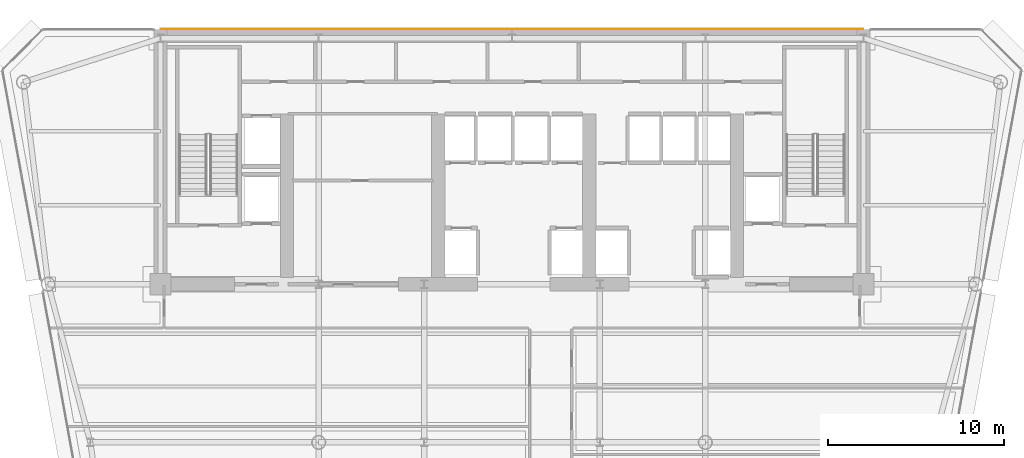
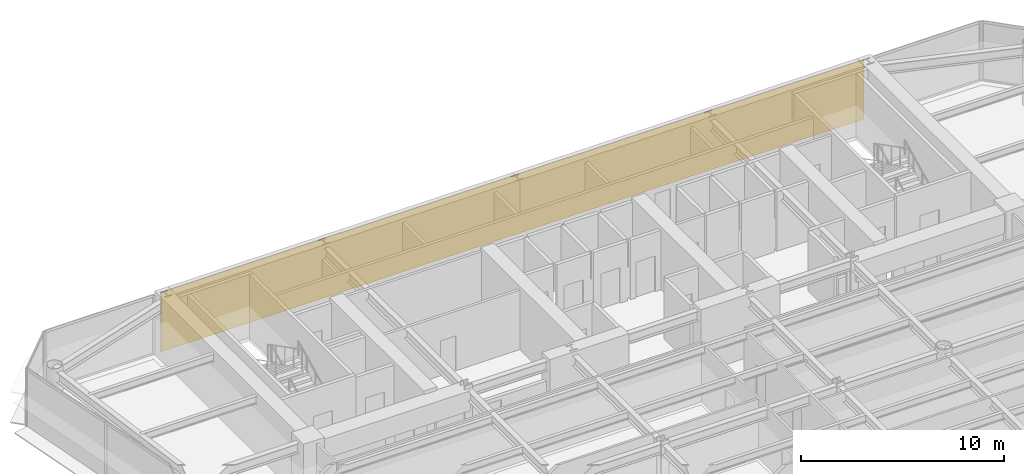
# One storey, part 16 of 17: 1 covering.
"""IFC4 building model written with IfcOpenShell, lengths in metres."""

import ifcopenshell
import ifcopenshell.guid

model = None  # the IFC model being written
_history = None  # IfcOwnerHistory: only IFC2X3 demands one
_inside = {}  # id of a spatial element -> (the spatial element, [elements in it])
_under = {}  # id of a project, library or spatial element -> (it, [spatial elements below it])
_declared = {}  # id of a project -> (the project, [libraries it declares])
_typed = {}  # id of a type object -> (the type object, [elements of that type])
_made_of = {}  # id of a material, layer set ... -> (it, [elements and type objects made of it])


def new_model(schema):
    """Start an empty IFC model of exactly this schema.

    Asked for "IFC4X3", IfcOpenShell would pick the latest addendum, in which some entities
    have other attributes; the version numbers below select the first issue.
    IFC2X3 requires an IfcOwnerHistory on every rooted entity: one is made here for all.
    """
    global model, _history
    if schema == "IFC4X3":
        model = ifcopenshell.file(schema_version=(4, 3, 0, 0))
    else:
        model = ifcopenshell.file(schema=schema)
    _inside.clear()
    _under.clear()
    _declared.clear()
    _typed.clear()
    _made_of.clear()
    _history = None
    if model.schema == "IFC2X3":
        org = make("IfcOrganization", Name="unknown")
        user = make(
            "IfcPersonAndOrganization",
            ThePerson=make("IfcPerson", FamilyName="unknown"),
            TheOrganization=org,
        )
        app = make(
            "IfcApplication",
            ApplicationDeveloper=org,
            Version="unknown",
            ApplicationFullName="unknown",
            ApplicationIdentifier="unknown",
        )
        _history = make(
            "IfcOwnerHistory",
            OwningUser=user,
            OwningApplication=app,
            ChangeAction="ADDED",
            CreationDate=0,
        )
    return model


def make(cls, **values):
    """One entity of the class cls with the attributes given. An attribute that is None is left unset."""
    return model.create_entity(
        cls, **{name: value for name, value in values.items() if value is not None}
    )


def rooted(cls, **values):
    """An entity with a GlobalId (a new one), such as an element, a storey or a relation."""
    return make(cls, GlobalId=ifcopenshell.guid.new(), OwnerHistory=_history, **values)


def si_unit(unit_type, name, prefix=None):
    """IfcSIUnit, for example si_unit("LENGTHUNIT", "METRE", prefix="MILLI")."""
    return make("IfcSIUnit", UnitType=unit_type, Prefix=prefix, Name=name)


def assignment(units):
    """IfcUnitAssignment: the units of a project."""
    return None if units is None else make("IfcUnitAssignment", Units=units)


def point(xyz):
    """IfcCartesianPoint."""
    return None if xyz is None else make("IfcCartesianPoint", Coordinates=xyz)


def direction(xyz):
    """IfcDirection."""
    return None if xyz is None else make("IfcDirection", DirectionRatios=xyz)


def frame(location, z_axis=None, x_axis=None):
    """IfcAxis2Placement3D, a coordinate frame: its origin and axes. An axis left out is left unset."""
    return make(
        "IfcAxis2Placement3D",
        Location=point(location),
        Axis=direction(z_axis),
        RefDirection=direction(x_axis),
    )


def origin():
    """The frame at (0, 0, 0) with its axes left unset."""
    return frame((0.0, 0.0, 0.0))


def place(relative_to, where):
    """IfcLocalPlacement: puts the frame where relative to a parent placement (None: the world)."""
    return make(
        "IfcLocalPlacement", PlacementRelTo=relative_to, RelativePlacement=where
    )


def context(
    kind, dimensions, precision=None, world=None, true_north=None, identifier=None
):
    """IfcGeometricRepresentationContext, for example the 3D "Model" context."""
    return make(
        "IfcGeometricRepresentationContext",
        ContextIdentifier=identifier,
        ContextType=kind,
        CoordinateSpaceDimension=dimensions,
        Precision=precision,
        WorldCoordinateSystem=world,
        TrueNorth=true_north,
    )


def subcontext(parent, identifier, kind, view, scale=None):
    """IfcGeometricRepresentationSubContext, for example "Body" below "Model"."""
    return make(
        "IfcGeometricRepresentationSubContext",
        ContextIdentifier=identifier,
        ContextType=kind,
        ParentContext=parent,
        TargetScale=scale,
        TargetView=view,
    )


def project(units=None, contexts=None):
    """IfcProject with its units and contexts."""
    return rooted(
        "IfcProject",
        Name="project",
        RepresentationContexts=contexts,
        UnitsInContext=assignment(units),
    )


def spatial(cls, under=None, at=None, **own):
    """A site, building, storey or space (cls), placed at a placement, below another one or the project."""
    s = rooted(cls, ObjectPlacement=at, **own)
    if under is not None:
        _under.setdefault(under.id(), (under, []))[1].append(s)
    return s


def polyline(points):
    """IfcPolyline through the points."""
    return make("IfcPolyline", Points=[point(p) for p in points])


def outline(outer, holes=None, kind="AREA"):
    """IfcArbitraryClosedProfileDef: a profile drawn as a closed curve; with holes, ...WithVoids."""
    if holes is None:
        return make("IfcArbitraryClosedProfileDef", ProfileType=kind, OuterCurve=outer)
    return make(
        "IfcArbitraryProfileDefWithVoids",
        ProfileType=kind,
        OuterCurve=outer,
        InnerCurves=holes,
    )


def extrude(swept, where, along, depth):
    """IfcExtrudedAreaSolid: the profile swept, set in the frame where, extruded along a direction by depth."""
    return make(
        "IfcExtrudedAreaSolid",
        SweptArea=swept,
        Position=where,
        ExtrudedDirection=direction(along),
        Depth=depth,
    )


def shape(context_of_items, identifier, shape_type, items):
    """IfcShapeRepresentation: the items that make up one representation, for example the "Body"."""
    return make(
        "IfcShapeRepresentation",
        ContextOfItems=context_of_items,
        RepresentationIdentifier=identifier,
        RepresentationType=shape_type,
        Items=items,
    )


def material(Name=None, Category=None):
    """IfcMaterial."""
    return make("IfcMaterial", Name=Name, Category=Category)


def layer(
    of_material, thickness, ventilated=None, Name=None, Category=None, Priority=None
):
    """IfcMaterialLayer: one layer of a wall or slab, of a material (None: an air gap)."""
    return make(
        "IfcMaterialLayer",
        Material=of_material,
        LayerThickness=thickness,
        IsVentilated=ventilated,
        Name=Name,
        Category=Category,
        Priority=Priority,
    )


def layer_set(layers, Name=None):
    """IfcMaterialLayerSet."""
    return make("IfcMaterialLayerSet", MaterialLayers=layers, LayerSetName=Name)


def made_of(thing, what):
    """Note that an element or type object is made of a material, layer set ...; save() writes the relation."""
    if what is not None:
        _made_of.setdefault(what.id(), (what, []))[1].append(thing)
    return thing


def type_object(cls, material=None, **own):
    """A type object (cls), such as IfcWallType, which elements share."""
    return made_of(rooted(cls, **own), material)


def element(
    cls,
    number,
    at=None,
    inside=None,
    cuts=None,
    type_object=None,
    material=None,
    context=None,
    identifier="Body",
    shape_type=None,
    held_by="IfcProductDefinitionShape",
    body=None,
    shapes=None,
    **own,
):
    """One element of the class cls, such as IfcWall. Its Tag is "e" and its number.

    at: its placement. inside: the storey or other place that contains it. cuts: it is an
    opening in that element (IfcRelVoidsElement). A single representation is given by context,
    identifier, shape_type and body (its items); several are given by shapes. held_by: the class
    of the entity that holds the representations. save() writes the other relations.
    """
    e = rooted(cls, Tag="e%d" % number, ObjectPlacement=at, **own)
    if body is not None:
        shapes = [shape(context, identifier, shape_type, body)]
    if shapes is not None:
        e.Representation = make(held_by, Representations=shapes)
    if inside is not None:
        _inside.setdefault(inside.id(), (inside, []))[1].append(e)
    if cuts is not None:
        rooted(
            "IfcRelVoidsElement", RelatingBuildingElement=cuts, RelatedOpeningElement=e
        )
    if type_object is not None:
        _typed.setdefault(type_object.id(), (type_object, []))[1].append(e)
    return made_of(e, material)


def aggregate(whole, parts):
    """IfcRelAggregates: a whole, such as a stair, and the parts it consists of."""
    return rooted("IfcRelAggregates", RelatingObject=whole, RelatedObjects=parts)


def save(model, path):
    """Write the relations noted so far, then the file.

    IfcRelAggregates (storeys below a building ...), IfcRelContainedInSpatialStructure (elements
    in a storey), IfcRelDefinesByType, IfcRelAssociatesMaterial and IfcRelDeclares: one each for
    every whole, place, type object, material and project.
    """
    for whole, parts in _under.values():
        aggregate(whole, parts)
    for where, things in _inside.values():
        rooted(
            "IfcRelContainedInSpatialStructure",
            RelatedElements=things,
            RelatingStructure=where,
        )
    for kind, things in _typed.values():
        rooted("IfcRelDefinesByType", RelatedObjects=things, RelatingType=kind)
    for what, things in _made_of.values():
        rooted("IfcRelAssociatesMaterial", RelatedObjects=things, RelatingMaterial=what)
    for by, libraries in _declared.values():
        rooted("IfcRelDeclares", RelatingContext=by, RelatedDefinitions=libraries)
    model.write(path)


model = new_model("IFC4")

# Units and contexts
model_context = context("Model", 3, precision=1e-05, world=origin(), true_north=direction((0.0, 1.0)))
body_context = subcontext(model_context, "Body", "Model", "MODEL_VIEW")
ifc_project = project(units=[si_unit("LENGTHUNIT", "METRE"), si_unit("AREAUNIT", "SQUARE_METRE"), si_unit("VOLUMEUNIT", "CUBIC_METRE"), si_unit("PLANEANGLEUNIT", "RADIAN"), si_unit("MASSUNIT", "GRAM", prefix="KILO")], contexts=[model_context])

# Site, building, storey
site_placement = place(None, origin())
site = spatial("IfcSite", under=ifc_project, at=site_placement, CompositionType="ELEMENT")
building_placement = place(site_placement, origin())
building = spatial("IfcBuilding", under=site, at=building_placement, Name="Vaeldorn Concourse Tower", CompositionType="ELEMENT")
storey_placement = place(building_placement, frame((0.0, 0.0, 157.60009765625)))
storey = spatial("IfcBuildingStorey", under=building, at=storey_placement, Name="L40", CompositionType="ELEMENT", Elevation=157.60009765625)

# Covering
ifc_material = material(Name="Anodised Bronze Aluminium", Category="aluminium")
ifc_layer = layer(ifc_material, 0.050048828125)
ifc_layer_set = layer_set([ifc_layer], Name="Anodised Bronze Aluminium")
covering_type = type_object("IfcCoveringType", Name="COV-CLAD-BRONZE", PredefinedType="CLADDING", material=ifc_layer_set)
covering_placement = place(storey_placement, origin())
element("IfcCovering", 1, at=covering_placement, inside=storey, type_object=covering_type, Name="Rear Core Bronze Spandrel Cladding L40", PredefinedType="CLADDING", context=body_context, shape_type="SweptSolid", body=[
    extrude(outline(polyline([(14.0, 51.0), (54.0, 51.0), (54.0, 51.050048828125), (14.0, 51.050048828125), (14.0, 51.0)])), origin(), (0.0, 0.0, 1.0), 3.579833984375),
])

save(model, "model.ifc")
